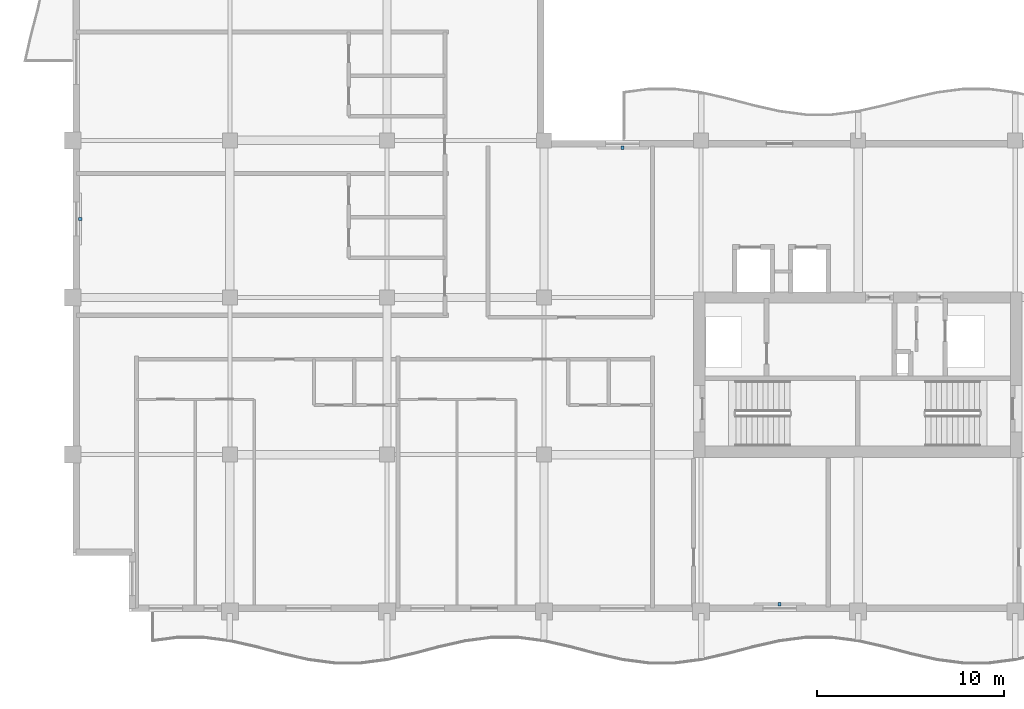
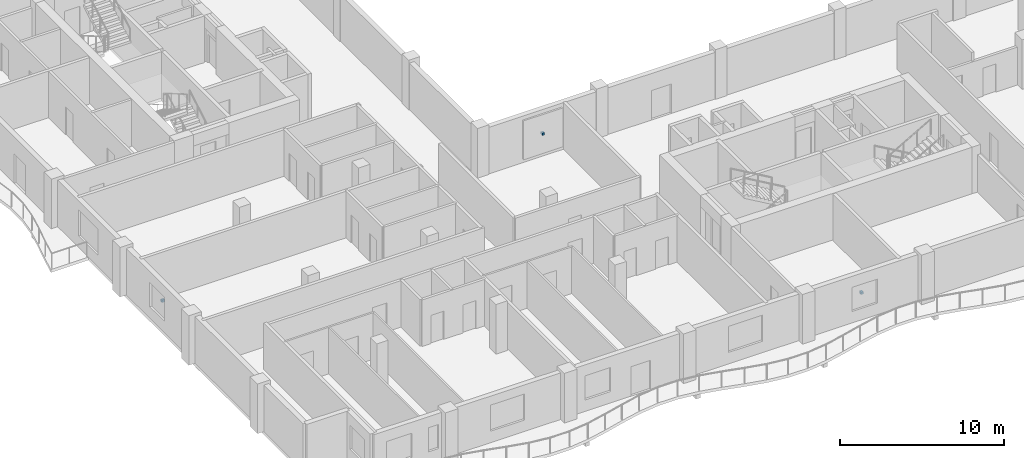
# One storey, part 9 of 12: 3 discrete accessories.
"""IFC4 building model written with IfcOpenShell, lengths in metres."""

import ifcopenshell
import ifcopenshell.guid

model = None  # the IFC model being written
_history = None  # IfcOwnerHistory: only IFC2X3 demands one
_inside = {}  # id of a spatial element -> (the spatial element, [elements in it])
_under = {}  # id of a project, library or spatial element -> (it, [spatial elements below it])
_declared = {}  # id of a project -> (the project, [libraries it declares])
_typed = {}  # id of a type object -> (the type object, [elements of that type])
_made_of = {}  # id of a material, layer set ... -> (it, [elements and type objects made of it])


def new_model(schema):
    """Start an empty IFC model of exactly this schema.

    Asked for "IFC4X3", IfcOpenShell would pick the latest addendum, in which some entities
    have other attributes; the version numbers below select the first issue.
    IFC2X3 requires an IfcOwnerHistory on every rooted entity: one is made here for all.
    """
    global model, _history
    if schema == "IFC4X3":
        model = ifcopenshell.file(schema_version=(4, 3, 0, 0))
    else:
        model = ifcopenshell.file(schema=schema)
    _inside.clear()
    _under.clear()
    _declared.clear()
    _typed.clear()
    _made_of.clear()
    _history = None
    if model.schema == "IFC2X3":
        org = make("IfcOrganization", Name="unknown")
        user = make(
            "IfcPersonAndOrganization",
            ThePerson=make("IfcPerson", FamilyName="unknown"),
            TheOrganization=org,
        )
        app = make(
            "IfcApplication",
            ApplicationDeveloper=org,
            Version="unknown",
            ApplicationFullName="unknown",
            ApplicationIdentifier="unknown",
        )
        _history = make(
            "IfcOwnerHistory",
            OwningUser=user,
            OwningApplication=app,
            ChangeAction="ADDED",
            CreationDate=0,
        )
    return model


def make(cls, **values):
    """One entity of the class cls with the attributes given. An attribute that is None is left unset."""
    return model.create_entity(
        cls, **{name: value for name, value in values.items() if value is not None}
    )


def rooted(cls, **values):
    """An entity with a GlobalId (a new one), such as an element, a storey or a relation."""
    return make(cls, GlobalId=ifcopenshell.guid.new(), OwnerHistory=_history, **values)


def si_unit(unit_type, name, prefix=None):
    """IfcSIUnit, for example si_unit("LENGTHUNIT", "METRE", prefix="MILLI")."""
    return make("IfcSIUnit", UnitType=unit_type, Prefix=prefix, Name=name)


def assignment(units):
    """IfcUnitAssignment: the units of a project."""
    return None if units is None else make("IfcUnitAssignment", Units=units)


def point(xyz):
    """IfcCartesianPoint."""
    return None if xyz is None else make("IfcCartesianPoint", Coordinates=xyz)


def direction(xyz):
    """IfcDirection."""
    return None if xyz is None else make("IfcDirection", DirectionRatios=xyz)


def frame(location, z_axis=None, x_axis=None):
    """IfcAxis2Placement3D, a coordinate frame: its origin and axes. An axis left out is left unset."""
    return make(
        "IfcAxis2Placement3D",
        Location=point(location),
        Axis=direction(z_axis),
        RefDirection=direction(x_axis),
    )


def frame_2d(location, x_axis=None):
    """IfcAxis2Placement2D, a coordinate frame in the plane: its origin and x axis."""
    return make(
        "IfcAxis2Placement2D", Location=point(location), RefDirection=direction(x_axis)
    )


def origin():
    """The frame at (0, 0, 0) with its axes left unset."""
    return frame((0.0, 0.0, 0.0))


def origin_2d():
    """The frame at (0, 0) in the plane with its x axis left unset."""
    return frame_2d((0.0, 0.0))


def place(relative_to, where):
    """IfcLocalPlacement: puts the frame where relative to a parent placement (None: the world)."""
    return make(
        "IfcLocalPlacement", PlacementRelTo=relative_to, RelativePlacement=where
    )


def context(
    kind, dimensions, precision=None, world=None, true_north=None, identifier=None
):
    """IfcGeometricRepresentationContext, for example the 3D "Model" context."""
    return make(
        "IfcGeometricRepresentationContext",
        ContextIdentifier=identifier,
        ContextType=kind,
        CoordinateSpaceDimension=dimensions,
        Precision=precision,
        WorldCoordinateSystem=world,
        TrueNorth=true_north,
    )


def subcontext(parent, identifier, kind, view, scale=None):
    """IfcGeometricRepresentationSubContext, for example "Body" below "Model"."""
    return make(
        "IfcGeometricRepresentationSubContext",
        ContextIdentifier=identifier,
        ContextType=kind,
        ParentContext=parent,
        TargetScale=scale,
        TargetView=view,
    )


def project(units=None, contexts=None):
    """IfcProject with its units and contexts."""
    return rooted(
        "IfcProject",
        Name="project",
        RepresentationContexts=contexts,
        UnitsInContext=assignment(units),
    )


def spatial(cls, under=None, at=None, **own):
    """A site, building, storey or space (cls), placed at a placement, below another one or the project."""
    s = rooted(cls, ObjectPlacement=at, **own)
    if under is not None:
        _under.setdefault(under.id(), (under, []))[1].append(s)
    return s


def profile(cls, at=None, kind="AREA", **sizes):
    """A parametric profile (cls). Its sizes go by their IFC names, for example OverallWidth=200.0."""
    return make(cls, ProfileType=kind, Position=at, **sizes)


def rectangle(**sizes):
    """IfcRectangleProfileDef."""
    return profile("IfcRectangleProfileDef", **sizes)


def extrude(swept, where, along, depth):
    """IfcExtrudedAreaSolid: the profile swept, set in the frame where, extruded along a direction by depth."""
    return make(
        "IfcExtrudedAreaSolid",
        SweptArea=swept,
        Position=where,
        ExtrudedDirection=direction(along),
        Depth=depth,
    )


def shape(context_of_items, identifier, shape_type, items):
    """IfcShapeRepresentation: the items that make up one representation, for example the "Body"."""
    return make(
        "IfcShapeRepresentation",
        ContextOfItems=context_of_items,
        RepresentationIdentifier=identifier,
        RepresentationType=shape_type,
        Items=items,
    )


def material(Name=None, Category=None):
    """IfcMaterial."""
    return make("IfcMaterial", Name=Name, Category=Category)


def made_of(thing, what):
    """Note that an element or type object is made of a material, layer set ...; save() writes the relation."""
    if what is not None:
        _made_of.setdefault(what.id(), (what, []))[1].append(thing)
    return thing


def type_object(cls, material=None, **own):
    """A type object (cls), such as IfcWallType, which elements share."""
    return made_of(rooted(cls, **own), material)


def element(
    cls,
    number,
    at=None,
    inside=None,
    cuts=None,
    type_object=None,
    material=None,
    context=None,
    identifier="Body",
    shape_type=None,
    held_by="IfcProductDefinitionShape",
    body=None,
    shapes=None,
    **own,
):
    """One element of the class cls, such as IfcWall. Its Tag is "e" and its number.

    at: its placement. inside: the storey or other place that contains it. cuts: it is an
    opening in that element (IfcRelVoidsElement). A single representation is given by context,
    identifier, shape_type and body (its items); several are given by shapes. held_by: the class
    of the entity that holds the representations. save() writes the other relations.
    """
    e = rooted(cls, Tag="e%d" % number, ObjectPlacement=at, **own)
    if body is not None:
        shapes = [shape(context, identifier, shape_type, body)]
    if shapes is not None:
        e.Representation = make(held_by, Representations=shapes)
    if inside is not None:
        _inside.setdefault(inside.id(), (inside, []))[1].append(e)
    if cuts is not None:
        rooted(
            "IfcRelVoidsElement", RelatingBuildingElement=cuts, RelatedOpeningElement=e
        )
    if type_object is not None:
        _typed.setdefault(type_object.id(), (type_object, []))[1].append(e)
    return made_of(e, material)


def aggregate(whole, parts):
    """IfcRelAggregates: a whole, such as a stair, and the parts it consists of."""
    return rooted("IfcRelAggregates", RelatingObject=whole, RelatedObjects=parts)


def save(model, path):
    """Write the relations noted so far, then the file.

    IfcRelAggregates (storeys below a building ...), IfcRelContainedInSpatialStructure (elements
    in a storey), IfcRelDefinesByType, IfcRelAssociatesMaterial and IfcRelDeclares: one each for
    every whole, place, type object, material and project.
    """
    for whole, parts in _under.values():
        aggregate(whole, parts)
    for where, things in _inside.values():
        rooted(
            "IfcRelContainedInSpatialStructure",
            RelatedElements=things,
            RelatingStructure=where,
        )
    for kind, things in _typed.values():
        rooted("IfcRelDefinesByType", RelatedObjects=things, RelatingType=kind)
    for what, things in _made_of.values():
        rooted("IfcRelAssociatesMaterial", RelatedObjects=things, RelatingMaterial=what)
    for by, libraries in _declared.values():
        rooted("IfcRelDeclares", RelatingContext=by, RelatedDefinitions=libraries)
    model.write(path)


model = new_model("IFC4")

# Units and contexts
model_context = context("Model", 3, precision=1e-05, world=origin(), true_north=direction((0.0, 1.0)))
body_context = subcontext(model_context, "Body", "Model", "MODEL_VIEW")
ifc_project = project(units=[si_unit("LENGTHUNIT", "METRE"), si_unit("AREAUNIT", "SQUARE_METRE"), si_unit("VOLUMEUNIT", "CUBIC_METRE"), si_unit("PLANEANGLEUNIT", "RADIAN"), si_unit("MASSUNIT", "GRAM", prefix="KILO")], contexts=[model_context])

# Site, building, storey
site_placement = place(None, origin())
site = spatial("IfcSite", under=ifc_project, at=site_placement, CompositionType="ELEMENT")
building_placement = place(site_placement, origin())
building = spatial("IfcBuilding", under=site, at=building_placement, Name="Koriwani Terraces Tower", CompositionType="ELEMENT")
storey_placement = place(building_placement, frame((0.0, 0.0, 256.39990234375)))
storey = spatial("IfcBuildingStorey", under=building, at=storey_placement, Name="L63", CompositionType="ELEMENT", Elevation=256.39990234375)

# Discrete accessories
ifc_material = material(Name="Steel ASTM A572 Grade 50", Category="steel")
discrete_accessory_type = type_object("IfcDiscreteAccessoryType", Name="BAGUETTE_STANDOFF_BRACKET", PredefinedType="BRACKET", material=ifc_material)
for number, where, z_axis, x_axis, name in (
    (1, (8.7900390625, 29.39990234375, 1.64501953125), (0.0, 0.0, 1.0), (0.0, 1.0, 0.0), "L63 Terracotta Baguette Bracket (W-6)"),
    (2, (37.800048828125, 33.2099609375, 1.64501953125), (0.0, 0.0, 1.0), (1.0, 0.0, 0.0), "L63 Terracotta Baguette Bracket (NE-2)"),
    (3, (46.199951171875, 8.7900390625, 1.64501953125), (0.0, 0.0, 1.0), (-1.0, 0.0, 0.0), "L63 Terracotta Baguette Bracket (S-12)"),
):
    element("IfcDiscreteAccessory", number, at=place(storey_placement, frame(where, z_axis=z_axis, x_axis=x_axis)), inside=storey, type_object=discrete_accessory_type, Name=name, PredefinedType="BRACKET", context=body_context, shape_type="SweptSolid", body=[
        extrude(rectangle(XDim=0.159912109375, YDim=0.199951171875, at=origin_2d()), origin(), (0.0, 0.0, 1.0), 0.179931640625),
    ])

save(model, "model.ifc")
